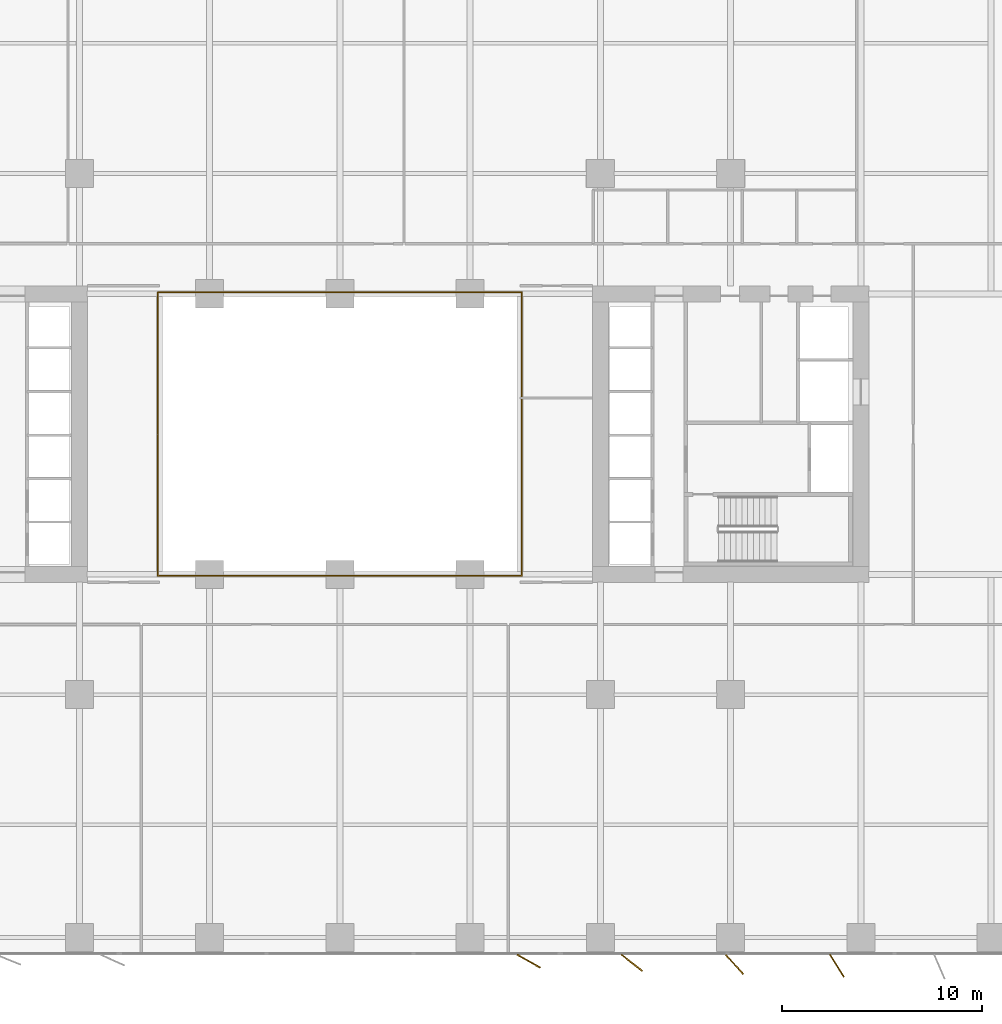
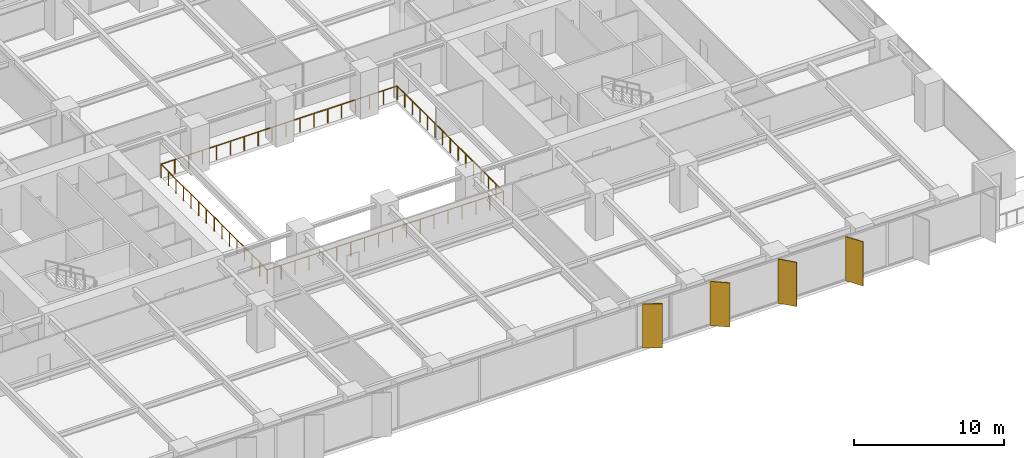
# One storey, part 18 of 20: 4 shading devices, 2 railings.
"""IFC4 building model written with IfcOpenShell, lengths in metres."""

from ifc_helpers import new_model, si_unit, direction, frame, origin, origin_2d, place, context, subcontext, project, spatial, rectangle, circle, extrude, material, layer, layer_set, type_object, element, save


model = new_model("IFC4")

# Units and contexts
model_context = context("Model", 3, precision=1e-05, world=origin(), true_north=direction((0.0, 1.0)))
body_context = subcontext(model_context, "Body", "Model", "MODEL_VIEW")
ifc_project = project(units=[si_unit("LENGTHUNIT", "METRE"), si_unit("AREAUNIT", "SQUARE_METRE"), si_unit("VOLUMEUNIT", "CUBIC_METRE"), si_unit("PLANEANGLEUNIT", "RADIAN"), si_unit("MASSUNIT", "GRAM", prefix="KILO")], contexts=[model_context])

# Site, building, storey
site_placement = place(None, origin())
site = spatial("IfcSite", under=ifc_project, at=site_placement, CompositionType="ELEMENT")
building_placement = place(site_placement, origin())
building = spatial("IfcBuilding", under=site, at=building_placement, Name="Putna Gate Headquarters", CompositionType="ELEMENT")
storey_placement = place(building_placement, frame((0.0, 0.0, 50.60009765625)))
storey = spatial("IfcBuildingStorey", under=building, at=storey_placement, Name="L11", CompositionType="ELEMENT", Elevation=50.60009765625)

# Railings
ifc_material_1 = material(Name="Anodised bronze and laminated glass atrium balustrade", Category="glass")
railing_type = type_object("IfcRailingType", Name="RAIL-ATRIUM-GUARD-1150", PredefinedType="GUARDRAIL", material=ifc_material_1)
railing_1_placement = place(storey_placement, frame((29.919921875, 25.969970703125, 0.0)))
element("IfcRailing", 1, at=railing_1_placement, inside=storey, type_object=railing_type, Name="L11 Central Atrium Glazed Balustrade South", PredefinedType="GUARDRAIL", context=body_context, shape_type="SweptSolid", body=[
    extrude(circle(Radius=0.02392578125, at=origin_2d()), frame((0.0, 0.0, 1.1259765625), z_axis=(0.0, -1.0, 0.0), x_axis=(1.0, 0.0, 0.0)), (0.0, 0.0, 1.0), 7.050048828125),
    extrude(circle(Radius=0.02392578125, at=origin_2d()), frame((0.0, -7.050048828125, 1.1259765625), z_axis=(1.0, 0.0, 0.0), x_axis=(0.0, 1.0, 0.0)), (0.0, 0.0, 1.0), 18.16015625),
    extrude(circle(Radius=0.02392578125, at=origin_2d()), frame((18.16015625, -7.050048828125, 1.1259765625), z_axis=(0.0, 1.0, 0.0), x_axis=(-1.0, 0.0, 0.0)), (0.0, 0.0, 1.0), 7.050048828125),
    extrude(circle(Radius=0.02099609375, at=origin_2d()), origin(), (0.0, 0.0, 1.0), 1.101806640625),
    extrude(circle(Radius=0.02099609375, at=origin_2d()), frame((0.0, -1.007080078125, 0.0)), (0.0, 0.0, 1.0), 1.101806640625),
    extrude(circle(Radius=0.02099609375, at=origin_2d()), frame((0.0, -2.014404296875, 0.0)), (0.0, 0.0, 1.0), 1.101806640625),
    extrude(circle(Radius=0.02099609375, at=origin_2d()), frame((0.0, -3.021484375, 0.0)), (0.0, 0.0, 1.0), 1.101806640625),
    extrude(circle(Radius=0.02099609375, at=origin_2d()), frame((0.0, -4.028564453125, 0.0)), (0.0, 0.0, 1.0), 1.101806640625),
    extrude(circle(Radius=0.02099609375, at=origin_2d()), frame((0.0, -5.03564453125, 0.0)), (0.0, 0.0, 1.0), 1.101806640625),
    extrude(circle(Radius=0.02099609375, at=origin_2d()), frame((0.0, -6.04296875, 0.0)), (0.0, 0.0, 1.0), 1.101806640625),
    extrude(circle(Radius=0.02099609375, at=origin_2d()), frame((0.0, -7.050048828125, 0.0)), (0.0, 0.0, 1.0), 1.101806640625),
    extrude(circle(Radius=0.02099609375, at=origin_2d()), frame((1.068359375, -7.050048828125, 0.0)), (0.0, 0.0, 1.0), 1.101806640625),
    extrude(circle(Radius=0.02099609375, at=origin_2d()), frame((2.136474609375, -7.050048828125, 0.0)), (0.0, 0.0, 1.0), 1.101806640625),
    extrude(circle(Radius=0.02099609375, at=origin_2d()), frame((3.204833984375, -7.050048828125, 0.0)), (0.0, 0.0, 1.0), 1.101806640625),
    extrude(circle(Radius=0.02099609375, at=origin_2d()), frame((4.27294921875, -7.050048828125, 0.0)), (0.0, 0.0, 1.0), 1.101806640625),
    extrude(circle(Radius=0.02099609375, at=origin_2d()), frame((5.34130859375, -7.050048828125, 0.0)), (0.0, 0.0, 1.0), 1.101806640625),
    extrude(circle(Radius=0.02099609375, at=origin_2d()), frame((6.409423828125, -7.050048828125, 0.0)), (0.0, 0.0, 1.0), 1.101806640625),
    extrude(circle(Radius=0.02099609375, at=origin_2d()), frame((7.477783203125, -7.050048828125, 0.0)), (0.0, 0.0, 1.0), 1.101806640625),
    extrude(circle(Radius=0.02099609375, at=origin_2d()), frame((8.5458984375, -7.050048828125, 0.0)), (0.0, 0.0, 1.0), 1.101806640625),
    extrude(circle(Radius=0.02099609375, at=origin_2d()), frame((9.6142578125, -7.050048828125, 0.0)), (0.0, 0.0, 1.0), 1.101806640625),
    extrude(circle(Radius=0.02099609375, at=origin_2d()), frame((10.682373046875, -7.050048828125, 0.0)), (0.0, 0.0, 1.0), 1.101806640625),
    extrude(circle(Radius=0.02099609375, at=origin_2d()), frame((11.750732421875, -7.050048828125, 0.0)), (0.0, 0.0, 1.0), 1.101806640625),
    extrude(circle(Radius=0.02099609375, at=origin_2d()), frame((12.81884765625, -7.050048828125, 0.0)), (0.0, 0.0, 1.0), 1.101806640625),
    extrude(circle(Radius=0.02099609375, at=origin_2d()), frame((13.88720703125, -7.050048828125, 0.0)), (0.0, 0.0, 1.0), 1.101806640625),
    extrude(circle(Radius=0.02099609375, at=origin_2d()), frame((14.955322265625, -7.050048828125, 0.0)), (0.0, 0.0, 1.0), 1.101806640625),
    extrude(circle(Radius=0.02099609375, at=origin_2d()), frame((16.023681640625, -7.050048828125, 0.0)), (0.0, 0.0, 1.0), 1.101806640625),
    extrude(circle(Radius=0.02099609375, at=origin_2d()), frame((17.091796875, -7.050048828125, 0.0)), (0.0, 0.0, 1.0), 1.101806640625),
    extrude(circle(Radius=0.02099609375, at=origin_2d()), frame((18.16015625, -7.050048828125, 0.0)), (0.0, 0.0, 1.0), 1.101806640625),
    extrude(circle(Radius=0.02099609375, at=origin_2d()), frame((18.16015625, -6.04296875, 0.0)), (0.0, 0.0, 1.0), 1.101806640625),
    extrude(circle(Radius=0.02099609375, at=origin_2d()), frame((18.16015625, -5.03564453125, 0.0)), (0.0, 0.0, 1.0), 1.101806640625),
    extrude(circle(Radius=0.02099609375, at=origin_2d()), frame((18.16015625, -4.028564453125, 0.0)), (0.0, 0.0, 1.0), 1.101806640625),
    extrude(circle(Radius=0.02099609375, at=origin_2d()), frame((18.16015625, -3.021484375, 0.0)), (0.0, 0.0, 1.0), 1.101806640625),
    extrude(circle(Radius=0.02099609375, at=origin_2d()), frame((18.16015625, -2.014404296875, 0.0)), (0.0, 0.0, 1.0), 1.101806640625),
    extrude(circle(Radius=0.02099609375, at=origin_2d()), frame((18.16015625, -1.007080078125, 0.0)), (0.0, 0.0, 1.0), 1.101806640625),
    extrude(circle(Radius=0.02099609375, at=origin_2d()), frame((18.16015625, 0.0, 0.0)), (0.0, 0.0, 1.0), 1.101806640625),
])
railing_2_placement = place(storey_placement, frame((48.080078125, 26.030029296875, 0.0)))
element("IfcRailing", 2, at=railing_2_placement, inside=storey, type_object=railing_type, Name="L11 Central Atrium Glazed Balustrade North", PredefinedType="GUARDRAIL", context=body_context, shape_type="SweptSolid", body=[
    extrude(circle(Radius=0.02392578125, at=origin_2d()), frame((0.0, 0.0, 1.1259765625), z_axis=(0.0, 1.0, 0.0), x_axis=(-1.0, 0.0, 0.0)), (0.0, 0.0, 1.0), 7.050048828125),
    extrude(circle(Radius=0.02392578125, at=origin_2d()), frame((0.0, 7.050048828125, 1.1259765625), z_axis=(-1.0, 0.0, 0.0), x_axis=(0.0, -1.0, 0.0)), (0.0, 0.0, 1.0), 18.16015625),
    extrude(circle(Radius=0.02392578125, at=origin_2d()), frame((-18.16015625, 7.050048828125, 1.1259765625), z_axis=(0.0, -1.0, 0.0), x_axis=(1.0, 0.0, 0.0)), (0.0, 0.0, 1.0), 7.050048828125),
    extrude(circle(Radius=0.02099609375, at=origin_2d()), origin(), (0.0, 0.0, 1.0), 1.101806640625),
    extrude(circle(Radius=0.02099609375, at=origin_2d()), frame((0.0, 1.007080078125, 0.0)), (0.0, 0.0, 1.0), 1.101806640625),
    extrude(circle(Radius=0.02099609375, at=origin_2d()), frame((0.0, 2.014404296875, 0.0)), (0.0, 0.0, 1.0), 1.101806640625),
    extrude(circle(Radius=0.02099609375, at=origin_2d()), frame((0.0, 3.021484375, 0.0)), (0.0, 0.0, 1.0), 1.101806640625),
    extrude(circle(Radius=0.02099609375, at=origin_2d()), frame((0.0, 4.028564453125, 0.0)), (0.0, 0.0, 1.0), 1.101806640625),
    extrude(circle(Radius=0.02099609375, at=origin_2d()), frame((0.0, 5.03564453125, 0.0)), (0.0, 0.0, 1.0), 1.101806640625),
    extrude(circle(Radius=0.02099609375, at=origin_2d()), frame((0.0, 6.04296875, 0.0)), (0.0, 0.0, 1.0), 1.101806640625),
    extrude(circle(Radius=0.02099609375, at=origin_2d()), frame((0.0, 7.050048828125, 0.0)), (0.0, 0.0, 1.0), 1.101806640625),
    extrude(circle(Radius=0.02099609375, at=origin_2d()), frame((-1.068359375, 7.050048828125, 0.0)), (0.0, 0.0, 1.0), 1.101806640625),
    extrude(circle(Radius=0.02099609375, at=origin_2d()), frame((-2.136474609375, 7.050048828125, 0.0)), (0.0, 0.0, 1.0), 1.101806640625),
    extrude(circle(Radius=0.02099609375, at=origin_2d()), frame((-3.204833984375, 7.050048828125, 0.0)), (0.0, 0.0, 1.0), 1.101806640625),
    extrude(circle(Radius=0.02099609375, at=origin_2d()), frame((-4.27294921875, 7.050048828125, 0.0)), (0.0, 0.0, 1.0), 1.101806640625),
    extrude(circle(Radius=0.02099609375, at=origin_2d()), frame((-5.34130859375, 7.050048828125, 0.0)), (0.0, 0.0, 1.0), 1.101806640625),
    extrude(circle(Radius=0.02099609375, at=origin_2d()), frame((-6.409423828125, 7.050048828125, 0.0)), (0.0, 0.0, 1.0), 1.101806640625),
    extrude(circle(Radius=0.02099609375, at=origin_2d()), frame((-7.477783203125, 7.050048828125, 0.0)), (0.0, 0.0, 1.0), 1.101806640625),
    extrude(circle(Radius=0.02099609375, at=origin_2d()), frame((-8.5458984375, 7.050048828125, 0.0)), (0.0, 0.0, 1.0), 1.101806640625),
    extrude(circle(Radius=0.02099609375, at=origin_2d()), frame((-9.6142578125, 7.050048828125, 0.0)), (0.0, 0.0, 1.0), 1.101806640625),
    extrude(circle(Radius=0.02099609375, at=origin_2d()), frame((-10.682373046875, 7.050048828125, 0.0)), (0.0, 0.0, 1.0), 1.101806640625),
    extrude(circle(Radius=0.02099609375, at=origin_2d()), frame((-11.750732421875, 7.050048828125, 0.0)), (0.0, 0.0, 1.0), 1.101806640625),
    extrude(circle(Radius=0.02099609375, at=origin_2d()), frame((-12.81884765625, 7.050048828125, 0.0)), (0.0, 0.0, 1.0), 1.101806640625),
    extrude(circle(Radius=0.02099609375, at=origin_2d()), frame((-13.88720703125, 7.050048828125, 0.0)), (0.0, 0.0, 1.0), 1.101806640625),
    extrude(circle(Radius=0.02099609375, at=origin_2d()), frame((-14.955322265625, 7.050048828125, 0.0)), (0.0, 0.0, 1.0), 1.101806640625),
    extrude(circle(Radius=0.02099609375, at=origin_2d()), frame((-16.023681640625, 7.050048828125, 0.0)), (0.0, 0.0, 1.0), 1.101806640625),
    extrude(circle(Radius=0.02099609375, at=origin_2d()), frame((-17.091796875, 7.050048828125, 0.0)), (0.0, 0.0, 1.0), 1.101806640625),
    extrude(circle(Radius=0.02099609375, at=origin_2d()), frame((-18.16015625, 7.050048828125, 0.0)), (0.0, 0.0, 1.0), 1.101806640625),
    extrude(circle(Radius=0.02099609375, at=origin_2d()), frame((-18.16015625, 6.04296875, 0.0)), (0.0, 0.0, 1.0), 1.101806640625),
    extrude(circle(Radius=0.02099609375, at=origin_2d()), frame((-18.16015625, 5.03564453125, 0.0)), (0.0, 0.0, 1.0), 1.101806640625),
    extrude(circle(Radius=0.02099609375, at=origin_2d()), frame((-18.16015625, 4.028564453125, 0.0)), (0.0, 0.0, 1.0), 1.101806640625),
    extrude(circle(Radius=0.02099609375, at=origin_2d()), frame((-18.16015625, 3.021484375, 0.0)), (0.0, 0.0, 1.0), 1.101806640625),
    extrude(circle(Radius=0.02099609375, at=origin_2d()), frame((-18.16015625, 2.014404296875, 0.0)), (0.0, 0.0, 1.0), 1.101806640625),
    extrude(circle(Radius=0.02099609375, at=origin_2d()), frame((-18.16015625, 1.007080078125, 0.0)), (0.0, 0.0, 1.0), 1.101806640625),
    extrude(circle(Radius=0.02099609375, at=origin_2d()), frame((-18.16015625, 0.0, 0.0)), (0.0, 0.0, 1.0), 1.101806640625),
])

# Shading devices
ifc_material_2 = material(Name="Anodised architectural bronze aluminium fin", Category="aluminium")
ifc_layer = layer(ifc_material_2, 0.06494140625)
ifc_layer_set = layer_set([ifc_layer], Name="Anodised architectural bronze aluminium fin")
shading_device_type = type_object("IfcShadingDeviceType", Name="SHADE-BRONZE-FIN-1320", PredefinedType="USERDEFINED", material=ifc_layer_set)
for number, where, z_axis, x_axis, name in (
    (3, (48.423828125, -0.30126953125, -0.02001953125), (0.0, 0.0, 1.0), (0.869322458298, -0.494245347472, 0.0), "L11 Bronze Vertical Shading Fin S8"),
    (4, (53.569580078125, -0.3818359375, -0.02001953125), (0.0, 0.0, 1.0), (0.787473187632, -0.616348909921, 0.0), "L11 Bronze Vertical Shading Fin S9"),
    (5, (58.691650390625, -0.465576171875, -0.02001953125), (0.0, 0.0, 1.0), (0.669130606359, -0.743144825477, 0.0), "L11 Bronze Vertical Shading Fin S10"),
    (6, (63.80029296875, -0.534423828125, -0.02001953125), (0.0, 0.0, 1.0), (0.530659123936, -0.847585331506, 0.0), "L11 Bronze Vertical Shading Fin S11"),
):
    element("IfcShadingDevice", number, at=place(storey_placement, frame(where, z_axis=z_axis, x_axis=x_axis)), inside=storey, type_object=shading_device_type, Name=name, ObjectType="FIN", PredefinedType="USERDEFINED", context=body_context, shape_type="SweptSolid", body=[
        extrude(rectangle(XDim=1.320068359375, YDim=0.06494140625, at=origin_2d()), origin(), (0.0, 0.0, 1.0), 3.590087890625),
    ])

save(model, "model.ifc")
